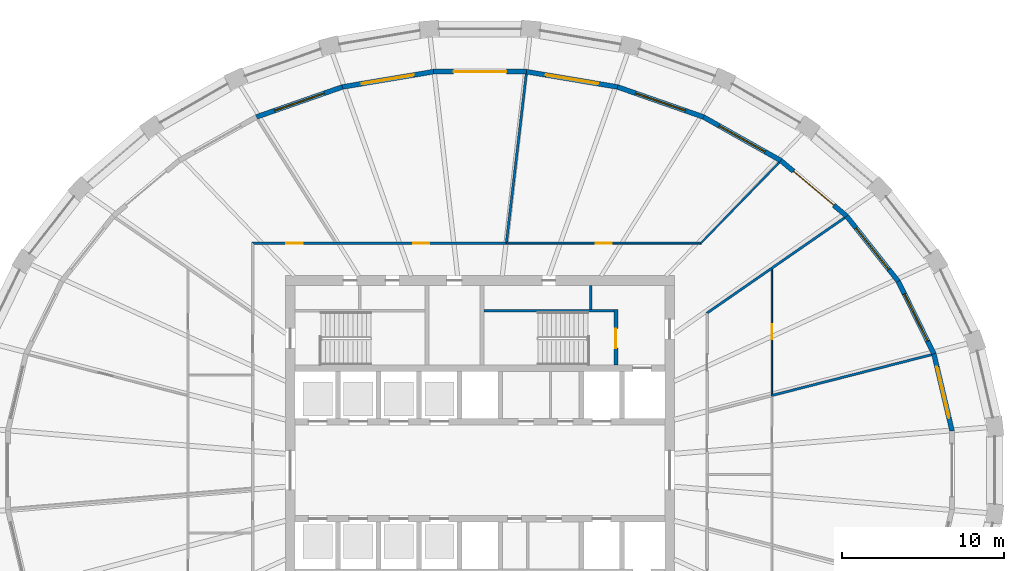
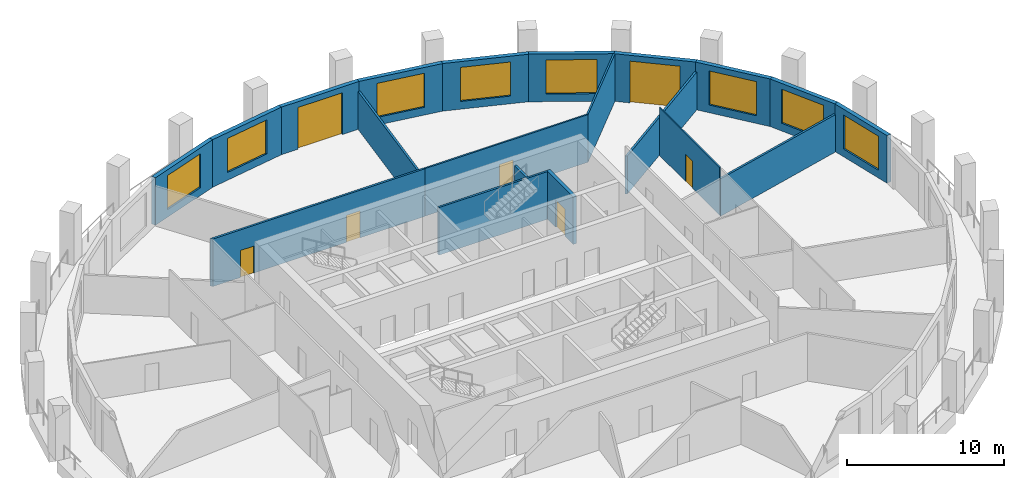
# One storey, part 7 of 11: 20 walls, 8 windows, 7 doors, 15 openings.
"""IFC4 building model written with IfcOpenShell, lengths in metres."""

import ifcopenshell
import ifcopenshell.guid

model = None  # the IFC model being written
_history = None  # IfcOwnerHistory: only IFC2X3 demands one
_inside = {}  # id of a spatial element -> (the spatial element, [elements in it])
_under = {}  # id of a project, library or spatial element -> (it, [spatial elements below it])
_declared = {}  # id of a project -> (the project, [libraries it declares])
_typed = {}  # id of a type object -> (the type object, [elements of that type])
_made_of = {}  # id of a material, layer set ... -> (it, [elements and type objects made of it])


def new_model(schema):
    """Start an empty IFC model of exactly this schema.

    Asked for "IFC4X3", IfcOpenShell would pick the latest addendum, in which some entities
    have other attributes; the version numbers below select the first issue.
    IFC2X3 requires an IfcOwnerHistory on every rooted entity: one is made here for all.
    """
    global model, _history
    if schema == "IFC4X3":
        model = ifcopenshell.file(schema_version=(4, 3, 0, 0))
    else:
        model = ifcopenshell.file(schema=schema)
    _inside.clear()
    _under.clear()
    _declared.clear()
    _typed.clear()
    _made_of.clear()
    _history = None
    if model.schema == "IFC2X3":
        org = make("IfcOrganization", Name="unknown")
        user = make(
            "IfcPersonAndOrganization",
            ThePerson=make("IfcPerson", FamilyName="unknown"),
            TheOrganization=org,
        )
        app = make(
            "IfcApplication",
            ApplicationDeveloper=org,
            Version="unknown",
            ApplicationFullName="unknown",
            ApplicationIdentifier="unknown",
        )
        _history = make(
            "IfcOwnerHistory",
            OwningUser=user,
            OwningApplication=app,
            ChangeAction="ADDED",
            CreationDate=0,
        )
    return model


def make(cls, **values):
    """One entity of the class cls with the attributes given. An attribute that is None is left unset."""
    return model.create_entity(
        cls, **{name: value for name, value in values.items() if value is not None}
    )


def rooted(cls, **values):
    """An entity with a GlobalId (a new one), such as an element, a storey or a relation."""
    return make(cls, GlobalId=ifcopenshell.guid.new(), OwnerHistory=_history, **values)


def si_unit(unit_type, name, prefix=None):
    """IfcSIUnit, for example si_unit("LENGTHUNIT", "METRE", prefix="MILLI")."""
    return make("IfcSIUnit", UnitType=unit_type, Prefix=prefix, Name=name)


def assignment(units):
    """IfcUnitAssignment: the units of a project."""
    return None if units is None else make("IfcUnitAssignment", Units=units)


def point(xyz):
    """IfcCartesianPoint."""
    return None if xyz is None else make("IfcCartesianPoint", Coordinates=xyz)


def direction(xyz):
    """IfcDirection."""
    return None if xyz is None else make("IfcDirection", DirectionRatios=xyz)


def frame(location, z_axis=None, x_axis=None):
    """IfcAxis2Placement3D, a coordinate frame: its origin and axes. An axis left out is left unset."""
    return make(
        "IfcAxis2Placement3D",
        Location=point(location),
        Axis=direction(z_axis),
        RefDirection=direction(x_axis),
    )


def frame_2d(location, x_axis=None):
    """IfcAxis2Placement2D, a coordinate frame in the plane: its origin and x axis."""
    return make(
        "IfcAxis2Placement2D", Location=point(location), RefDirection=direction(x_axis)
    )


def origin():
    """The frame at (0, 0, 0) with its axes left unset."""
    return frame((0.0, 0.0, 0.0))


def place(relative_to, where):
    """IfcLocalPlacement: puts the frame where relative to a parent placement (None: the world)."""
    return make(
        "IfcLocalPlacement", PlacementRelTo=relative_to, RelativePlacement=where
    )


def context(
    kind, dimensions, precision=None, world=None, true_north=None, identifier=None
):
    """IfcGeometricRepresentationContext, for example the 3D "Model" context."""
    return make(
        "IfcGeometricRepresentationContext",
        ContextIdentifier=identifier,
        ContextType=kind,
        CoordinateSpaceDimension=dimensions,
        Precision=precision,
        WorldCoordinateSystem=world,
        TrueNorth=true_north,
    )


def subcontext(parent, identifier, kind, view, scale=None):
    """IfcGeometricRepresentationSubContext, for example "Body" below "Model"."""
    return make(
        "IfcGeometricRepresentationSubContext",
        ContextIdentifier=identifier,
        ContextType=kind,
        ParentContext=parent,
        TargetScale=scale,
        TargetView=view,
    )


def project(units=None, contexts=None):
    """IfcProject with its units and contexts."""
    return rooted(
        "IfcProject",
        Name="project",
        RepresentationContexts=contexts,
        UnitsInContext=assignment(units),
    )


def spatial(cls, under=None, at=None, **own):
    """A site, building, storey or space (cls), placed at a placement, below another one or the project."""
    s = rooted(cls, ObjectPlacement=at, **own)
    if under is not None:
        _under.setdefault(under.id(), (under, []))[1].append(s)
    return s


def polyline(points):
    """IfcPolyline through the points."""
    return make("IfcPolyline", Points=[point(p) for p in points])


def profile(cls, at=None, kind="AREA", **sizes):
    """A parametric profile (cls). Its sizes go by their IFC names, for example OverallWidth=200.0."""
    return make(cls, ProfileType=kind, Position=at, **sizes)


def rectangle(**sizes):
    """IfcRectangleProfileDef."""
    return profile("IfcRectangleProfileDef", **sizes)


def outline(outer, holes=None, kind="AREA"):
    """IfcArbitraryClosedProfileDef: a profile drawn as a closed curve; with holes, ...WithVoids."""
    if holes is None:
        return make("IfcArbitraryClosedProfileDef", ProfileType=kind, OuterCurve=outer)
    return make(
        "IfcArbitraryProfileDefWithVoids",
        ProfileType=kind,
        OuterCurve=outer,
        InnerCurves=holes,
    )


def extrude(swept, where, along, depth):
    """IfcExtrudedAreaSolid: the profile swept, set in the frame where, extruded along a direction by depth."""
    return make(
        "IfcExtrudedAreaSolid",
        SweptArea=swept,
        Position=where,
        ExtrudedDirection=direction(along),
        Depth=depth,
    )


def shape(context_of_items, identifier, shape_type, items):
    """IfcShapeRepresentation: the items that make up one representation, for example the "Body"."""
    return make(
        "IfcShapeRepresentation",
        ContextOfItems=context_of_items,
        RepresentationIdentifier=identifier,
        RepresentationType=shape_type,
        Items=items,
    )


def material(Name=None, Category=None):
    """IfcMaterial."""
    return make("IfcMaterial", Name=Name, Category=Category)


def layer(
    of_material, thickness, ventilated=None, Name=None, Category=None, Priority=None
):
    """IfcMaterialLayer: one layer of a wall or slab, of a material (None: an air gap)."""
    return make(
        "IfcMaterialLayer",
        Material=of_material,
        LayerThickness=thickness,
        IsVentilated=ventilated,
        Name=Name,
        Category=Category,
        Priority=Priority,
    )


def layer_set(layers, Name=None):
    """IfcMaterialLayerSet."""
    return make("IfcMaterialLayerSet", MaterialLayers=layers, LayerSetName=Name)


def made_of(thing, what):
    """Note that an element or type object is made of a material, layer set ...; save() writes the relation."""
    if what is not None:
        _made_of.setdefault(what.id(), (what, []))[1].append(thing)
    return thing


def type_object(cls, material=None, **own):
    """A type object (cls), such as IfcWallType, which elements share."""
    return made_of(rooted(cls, **own), material)


def element(
    cls,
    number,
    at=None,
    inside=None,
    cuts=None,
    type_object=None,
    material=None,
    context=None,
    identifier="Body",
    shape_type=None,
    held_by="IfcProductDefinitionShape",
    body=None,
    shapes=None,
    **own,
):
    """One element of the class cls, such as IfcWall. Its Tag is "e" and its number.

    at: its placement. inside: the storey or other place that contains it. cuts: it is an
    opening in that element (IfcRelVoidsElement). A single representation is given by context,
    identifier, shape_type and body (its items); several are given by shapes. held_by: the class
    of the entity that holds the representations. save() writes the other relations.
    """
    e = rooted(cls, Tag="e%d" % number, ObjectPlacement=at, **own)
    if body is not None:
        shapes = [shape(context, identifier, shape_type, body)]
    if shapes is not None:
        e.Representation = make(held_by, Representations=shapes)
    if inside is not None:
        _inside.setdefault(inside.id(), (inside, []))[1].append(e)
    if cuts is not None:
        rooted(
            "IfcRelVoidsElement", RelatingBuildingElement=cuts, RelatedOpeningElement=e
        )
    if type_object is not None:
        _typed.setdefault(type_object.id(), (type_object, []))[1].append(e)
    return made_of(e, material)


def fill(opening, filler):
    """IfcRelFillsElement: the door or window that sits in an opening."""
    return rooted(
        "IfcRelFillsElement",
        RelatingOpeningElement=opening,
        RelatedBuildingElement=filler,
    )


def aggregate(whole, parts):
    """IfcRelAggregates: a whole, such as a stair, and the parts it consists of."""
    return rooted("IfcRelAggregates", RelatingObject=whole, RelatedObjects=parts)


def save(model, path):
    """Write the relations noted so far, then the file.

    IfcRelAggregates (storeys below a building ...), IfcRelContainedInSpatialStructure (elements
    in a storey), IfcRelDefinesByType, IfcRelAssociatesMaterial and IfcRelDeclares: one each for
    every whole, place, type object, material and project.
    """
    for whole, parts in _under.values():
        aggregate(whole, parts)
    for where, things in _inside.values():
        rooted(
            "IfcRelContainedInSpatialStructure",
            RelatedElements=things,
            RelatingStructure=where,
        )
    for kind, things in _typed.values():
        rooted("IfcRelDefinesByType", RelatedObjects=things, RelatingType=kind)
    for what, things in _made_of.values():
        rooted("IfcRelAssociatesMaterial", RelatedObjects=things, RelatingMaterial=what)
    for by, libraries in _declared.values():
        rooted("IfcRelDeclares", RelatingContext=by, RelatedDefinitions=libraries)
    model.write(path)


model = new_model("IFC4")

# Units and contexts
model_context = context("Model", 3, precision=1e-05, world=origin(), true_north=direction((0.0, 1.0)))
body_context = subcontext(model_context, "Body", "Model", "MODEL_VIEW")
ifc_project = project(units=[si_unit("LENGTHUNIT", "METRE"), si_unit("AREAUNIT", "SQUARE_METRE"), si_unit("VOLUMEUNIT", "CUBIC_METRE"), si_unit("PLANEANGLEUNIT", "RADIAN"), si_unit("MASSUNIT", "GRAM", prefix="KILO")], contexts=[model_context])

# Site, building, storey
site_placement = place(None, origin())
site = spatial("IfcSite", under=ifc_project, at=site_placement, CompositionType="ELEMENT")
building_placement = place(site_placement, origin())
building = spatial("IfcBuilding", under=site, at=building_placement, Name="Halqa Exchange Tower", CompositionType="ELEMENT")
storey_placement = place(building_placement, frame((0.0, 0.0, 214.89990234375)))
storey = spatial("IfcBuildingStorey", under=building, at=storey_placement, Name="L49", CompositionType="ELEMENT", Elevation=214.89990234375)

# Wall, openings, doors
ifc_material_1 = material(Name="Fire-rated gypsum board")
ifc_layer_1 = layer(ifc_material_1, 0.14990234375)
ifc_layer_set_1 = layer_set([ifc_layer_1], Name="Fire-rated gypsum board")
wall_type_1 = type_object("IfcWallType", Name="Fire partition EI 60 150", PredefinedType="PARTITIONING", material=ifc_layer_set_1)
wall_1_placement = place(storey_placement, frame((-14.074951171875, 14.0, 0.0), z_axis=(0.0, 0.0, 1.0), x_axis=(1.0, 0.0, 0.0)))
wall_1 = element("IfcWall", 1, at=wall_1_placement, inside=storey, type_object=wall_type_1, Name="L49-PWL-016", PredefinedType="PARTITIONING", context=body_context, shape_type="SweptSolid", body=[
    extrude(outline(polyline([(15.704833984375, 0.074951171875), (13.74169921875, 0.074951171875), (11.778564453125, 0.074951171875), (9.8154296875, 0.074951171875), (7.8525390625, 0.074951171875), (5.889404296875, 0.074951171875), (3.92626953125, 0.074951171875), (1.963134765625, 0.074951171875), (0.0, 0.074951171875), (0.14990234375, -0.074951171875), (2.09423828125, -0.074951171875), (4.03857421875, -0.074951171875), (5.98291015625, -0.074951171875), (7.92724609375, -0.074951171875), (9.871826171875, -0.074951171875), (11.816162109375, -0.074951171875), (13.760498046875, -0.074951171875), (15.704833984375, -0.074951171875), (15.704833984375, 0.074951171875)])), origin(), (0.0, 0.0, 1.0), 3.7001953125),
])
opening_1_placement = place(wall_1_placement, frame((9.955078125, 0.0, 0.0)))
opening_1 = element("IfcOpeningElement", 2, at=opening_1_placement, cuts=wall_1, Name="Opening 15-02", PredefinedType="OPENING", context=body_context, shape_type="SweptSolid", body=[
    extrude(rectangle(XDim=1.0, YDim=2.10009765625, at=frame_2d((0.5, 1.050048828125))), frame((0.0, 0.0869140625, 0.0), z_axis=(0.0, -1.0, 0.0), x_axis=(1.0, 0.0, 0.0)), (0.0, 0.0, 1.0), 0.173828125),
])
opening_2_placement = place(wall_1_placement, frame((2.139892578125, 0.0, 0.0)))
opening_2 = element("IfcOpeningElement", 3, at=opening_2_placement, cuts=wall_1, Name="Opening 15-03", PredefinedType="OPENING", context=body_context, shape_type="SweptSolid", body=[
    extrude(rectangle(XDim=1.0, YDim=2.10009765625, at=frame_2d((0.5, 1.050048828125))), frame((0.0, 0.0869140625, 0.0), z_axis=(0.0, -1.0, 0.0), x_axis=(1.0, 0.0, 0.0)), (0.0, 0.0, 1.0), 0.173828125),
])
ifc_material_2 = material(Name="Steel fire door leaf", Category="steel")
door_type_1 = type_object("IfcDoorType", Name="Fire door FD30S 1000 x 2100", OperationType="SINGLE_SWING_LEFT", PredefinedType="DOOR", material=ifc_material_2)
door_1_placement = place(opening_1_placement, origin())
door_1 = element("IfcDoor", 4, at=door_1_placement, inside=storey, type_object=door_type_1, Name="L49-IDR-002", OperationType="SINGLE_SWING_RIGHT", OverallHeight=2.10009765625, OverallWidth=1.0, PredefinedType="DOOR", context=body_context, shape_type="SweptSolid", body=[
    extrude(rectangle(XDim=1.0, YDim=2.10009765625, at=frame_2d((0.5, 1.050048828125))), frame((0.0, 0.02490234375, 0.0), z_axis=(0.0, -1.0, 0.0), x_axis=(1.0, 0.0, 0.0)), (0.0, 0.0, 1.0), 0.050048828125),
])
fill(opening_1, door_1)
door_2_placement = place(opening_2_placement, origin())
door_2 = element("IfcDoor", 5, at=door_2_placement, inside=storey, type_object=door_type_1, Name="L49-IDR-003", OperationType="SINGLE_SWING_LEFT", OverallHeight=2.10009765625, OverallWidth=1.0, PredefinedType="DOOR", context=body_context, shape_type="SweptSolid", body=[
    extrude(rectangle(XDim=1.0, YDim=2.10009765625, at=frame_2d((0.5, 1.050048828125))), frame((0.0, 0.02490234375, 0.0), z_axis=(0.0, -1.0, 0.0), x_axis=(1.0, 0.0, 0.0)), (0.0, 0.0, 1.0), 0.050048828125),
])
fill(opening_2, door_2)

# Walls
wall_2_placement = place(storey_placement, frame((1.6376953125, 14.06640625, 0.0), z_axis=(0.0, 0.0, 1.0), x_axis=(0.116747450487, 0.993161634783, 0.0)))
element("IfcWall", 6, at=wall_2_placement, inside=storey, type_object=wall_type_1, Name="L49-PWL-020", PredefinedType="PARTITIONING", context=body_context, shape_type="SweptSolid", body=[
    extrude(outline(polyline([(10.42041015625, -0.074951171875), (10.42041015625, 0.038818359375), (10.416259765625, 0.074951171875), (8.68017578125, 0.074951171875), (6.944091796875, 0.074951171875), (5.2080078125, 0.074951171875), (3.47216796875, 0.074951171875), (1.736083984375, 0.074951171875), (0.0, 0.074951171875), (0.0, 0.07373046875), (0.007568359375, 0.008544921875), (0.0, 0.0078125), (0.0, -0.054931640625), (0.00244140625, -0.074951171875), (1.73876953125, -0.074951171875), (3.47509765625, -0.074951171875), (5.21142578125, -0.074951171875), (6.94775390625, -0.074951171875), (8.68408203125, -0.074951171875), (10.42041015625, -0.074951171875)])), origin(), (0.0, 0.0, 1.0), 2.947021484375),
])
wall_3_placement = place(storey_placement, frame((13.9677734375, 9.66748046875, 0.0), z_axis=(0.0, 0.0, 1.0), x_axis=(0.822219313141, 0.56917080134, 0.0)))
element("IfcWall", 7, at=wall_3_placement, inside=storey, type_object=wall_type_1, Name="L49-PWL-033", PredefinedType="PARTITIONING", context=body_context, shape_type="SweptSolid", body=[
    extrude(outline(polyline([(0.07861328125, -0.074951171875), (1.649658203125, -0.074951171875), (3.220458984375, -0.074951171875), (4.791259765625, -0.074951171875), (4.79248046875, -0.0732421875), (4.794921875, -0.074951171875), (6.653076171875, -0.074951171875), (8.511474609375, -0.074951171875), (10.36962890625, -0.074951171875), (10.36962890625, -0.066162109375), (10.365234375, -0.000244140625), (10.344970703125, 0.074951171875), (8.620849609375, 0.074951171875), (6.896728515625, 0.074951171875), (5.172607421875, 0.074951171875), (3.448486328125, 0.074951171875), (1.724365234375, 0.074951171875), (0.000244140625, 0.074951171875), (0.039306640625, 0.000244140625), (0.07861328125, -0.074951171875)])), origin(), (0.0, 0.0, 1.0), 2.947021484375),
])
wall_4_placement = place(storey_placement, frame((17.95166015625, 4.59765625, 0.0), z_axis=(0.0, 0.0, 1.0), x_axis=(0.968895869382, 0.247468774381, 0.0)))
element("IfcWall", 8, at=wall_4_placement, inside=storey, type_object=wall_type_1, Name="L49-PWL-037", PredefinedType="PARTITIONING", context=body_context, shape_type="SweptSolid", body=[
    extrude(outline(polyline([(10.205810546875, -0.074951171875), (10.205810546875, 0.0078125), (10.191650390625, 0.074951171875), (8.51318359375, 0.074951171875), (6.834716796875, 0.074951171875), (5.15625, 0.074951171875), (3.477783203125, 0.074951171875), (1.799072265625, 0.074951171875), (0.12060546875, 0.074951171875), (0.12060546875, 0.07470703125), (0.1201171875, 0.074951171875), (0.0, 0.074951171875), (0.0, -0.054443359375), (0.08056640625, -0.074951171875), (1.768310546875, -0.074951171875), (3.455810546875, -0.074951171875), (5.143310546875, -0.074951171875), (6.830810546875, -0.074951171875), (8.518310546875, -0.074951171875), (10.205810546875, -0.074951171875)])), origin(), (0.0, 0.0, 1.0), 2.91015625),
])

# Wall, opening, door
ifc_material_3 = material(Name="Fire-rated glazing", Category="glass")
ifc_layer_2 = layer(ifc_material_3, 0.1201171875)
ifc_layer_set_2 = layer_set([ifc_layer_2], Name="Fire-rated glazing")
wall_type_2 = type_object("IfcWallType", Name="Glazed fire partition EI 60 120", PredefinedType="PARTITIONING", material=ifc_layer_set_2)
wall_5_placement = place(storey_placement, frame((1.6298828125, 14.0, 0.0), z_axis=(0.0, 0.0, 1.0), x_axis=(1.0, 0.0, 0.0)))
wall_5 = element("IfcWall", 9, at=wall_5_placement, inside=storey, type_object=wall_type_2, Name="L49-PWL-021", PredefinedType="PARTITIONING", context=body_context, shape_type="SweptSolid", body=[
    extrude(outline(polyline([(12.015380859375, -0.06005859375), (12.015380859375, -0.059814453125), (11.96484375, 0.06005859375), (9.970703125, 0.06005859375), (7.9765625, 0.06005859375), (5.982421875, 0.06005859375), (3.98828125, 0.06005859375), (1.994140625, 0.06005859375), (0.0, 0.06005859375), (0.0, -0.06005859375), (1.716552734375, -0.06005859375), (3.432861328125, -0.06005859375), (5.1494140625, -0.06005859375), (6.865966796875, -0.06005859375), (8.58251953125, -0.06005859375), (10.298828125, -0.06005859375), (12.015380859375, -0.06005859375)])), origin(), (0.0, 0.0, 1.0), 3.7001953125),
])
opening_3_placement = place(wall_5_placement, frame((5.4951171875, 0.0, 0.0)))
opening_3 = element("IfcOpeningElement", 10, at=opening_3_placement, cuts=wall_5, Name="Opening 15-01", PredefinedType="OPENING", context=body_context, shape_type="SweptSolid", body=[
    extrude(rectangle(XDim=1.0, YDim=2.10009765625, at=frame_2d((0.5, 1.050048828125))), frame((0.0, 0.072021484375, 0.0), z_axis=(0.0, -1.0, 0.0), x_axis=(1.0, 0.0, 0.0)), (0.0, 0.0, 1.0), 0.14404296875),
])
door_3_placement = place(opening_3_placement, origin())
door_3 = element("IfcDoor", 11, at=door_3_placement, inside=storey, type_object=door_type_1, Name="L49-IDR-001", OperationType="SINGLE_SWING_RIGHT", OverallHeight=2.10009765625, OverallWidth=1.0, PredefinedType="DOOR", context=body_context, shape_type="SweptSolid", body=[
    extrude(rectangle(XDim=1.0, YDim=2.10009765625, at=frame_2d((0.5, 1.050048828125))), frame((0.0, 0.02490234375, 0.0), z_axis=(0.0, -1.0, 0.0), x_axis=(1.0, 0.0, 0.0)), (0.0, 0.0, 1.0), 0.050048828125),
])
fill(opening_3, door_3)

# Wall
wall_6_placement = place(storey_placement, frame((13.602294921875, 13.981689453125, 0.0), z_axis=(0.0, 0.0, 1.0), x_axis=(0.697346685185, 0.716733981797, 0.0)))
element("IfcWall", 12, at=wall_6_placement, inside=storey, type_object=wall_type_2, Name="L49-PWL-025", PredefinedType="PARTITIONING", context=body_context, shape_type="SweptSolid", body=[
    extrude(outline(polyline([(6.9638671875, -0.06005859375), (6.9638671875, -0.0576171875), (6.9599609375, -0.00244140625), (6.943359375, 0.06005859375), (5.22021484375, 0.06005859375), (3.4970703125, 0.06005859375), (1.77392578125, 0.06005859375), (0.05078125, 0.06005859375), (0.05078125, 0.06005859375), (0.025390625, 0.0), (0.0, -0.06005859375), (1.740966796875, -0.06005859375), (3.48193359375, -0.06005859375), (5.222900390625, -0.06005859375), (6.9638671875, -0.06005859375)])), origin(), (0.0, 0.0, 1.0), 3.7001953125),
])

# Wall, opening, door
ifc_material_4 = material(Name="Gypsum board")
ifc_layer_3 = layer(ifc_material_4, 0.10009765625)
ifc_layer_set_3 = layer_set([ifc_layer_3], Name="Gypsum board")
wall_type_3 = type_object("IfcWallType", Name="Partition 100 gypsum", PredefinedType="PARTITIONING", material=ifc_layer_set_3)
wall_7_placement = place(storey_placement, frame((18.0, 12.402099609375, 0.0), z_axis=(0.0, 0.0, 1.0), x_axis=(0.0, -1.0, 0.0)))
wall_7 = element("IfcWall", 13, at=wall_7_placement, inside=storey, type_object=wall_type_3, Name="L49-PWL-038", PredefinedType="PARTITIONING", context=body_context, shape_type="SweptSolid", body=[
    extrude(outline(polyline([(7.72705078125, -0.050048828125), (7.72705078125, -0.04833984375), (7.701904296875, 0.050048828125), (5.7763671875, 0.050048828125), (3.850830078125, 0.050048828125), (1.925537109375, 0.050048828125), (0.0, 0.050048828125), (0.0, 0.0498046875), (0.069091796875, -0.050048828125), (1.983642578125, -0.050048828125), (3.89794921875, -0.050048828125), (5.8125, -0.050048828125), (7.72705078125, -0.050048828125)])), origin(), (0.0, 0.0, 1.0), 3.7001953125),
])
opening_4_placement = place(wall_7_placement, frame((3.4169921875, 0.0, 0.0)))
opening_4 = element("IfcOpeningElement", 14, at=opening_4_placement, cuts=wall_7, Name="Opening 15-22", PredefinedType="OPENING", context=body_context, shape_type="SweptSolid", body=[
    extrude(rectangle(XDim=0.89990234375, YDim=2.10009765625, at=frame_2d((0.449951171875, 1.050048828125))), frame((0.0, 0.06201171875, 0.0), z_axis=(0.0, -1.0, 0.0), x_axis=(1.0, 0.0, 0.0)), (0.0, 0.0, 1.0), 0.1240234375),
])
ifc_material_5 = material(Name="Timber door leaf", Category="wood")
door_type_2 = type_object("IfcDoorType", Name="Door 900 x 2100", OperationType="SINGLE_SWING_LEFT", PredefinedType="DOOR", material=ifc_material_5)
door_4_placement = place(opening_4_placement, frame((0.89990234375, 0.0, 0.0), z_axis=(0.0, 0.0, 1.0), x_axis=(-1.0, 0.0, 0.0)))
door_4 = element("IfcDoor", 15, at=door_4_placement, inside=storey, type_object=door_type_2, Name="L49-IDR-022", OperationType="SINGLE_SWING_LEFT", OverallHeight=2.10009765625, OverallWidth=0.89990234375, PredefinedType="DOOR", context=body_context, shape_type="SweptSolid", body=[
    extrude(rectangle(XDim=0.89990234375, YDim=2.10009765625, at=frame_2d((0.449951171875, 1.050048828125))), frame((0.0, 0.02490234375, 0.0), z_axis=(0.0, -1.0, 0.0), x_axis=(1.0, 0.0, 0.0)), (0.0, 0.0, 1.0), 0.050048828125),
])
fill(opening_4, door_4)

# Walls
ifc_layer_4 = layer(ifc_material_4, 0.14990234375)
ifc_layer_set_4 = layer_set([ifc_layer_4], Name="Gypsum board")
wall_type_4 = type_object("IfcWallType", Name="Penthouse riser wall 150 gypsum", PredefinedType="PARTITIONING", material=ifc_layer_set_4)
wall_8_placement = place(storey_placement, frame((6.824951171875, 9.89990234375, 0.0), z_axis=(0.0, 0.0, 1.0), x_axis=(0.0, 1.0, 0.0)))
element("IfcWall", 16, at=wall_8_placement, inside=storey, type_object=wall_type_4, Name="Firefighting lobby west wall N", PredefinedType="PARTITIONING", context=body_context, shape_type="SweptSolid", body=[
    extrude(rectangle(XDim=1.5, YDim=0.14990234375, at=frame_2d((0.75, 0.0))), origin(), (0.0, 0.0, 1.0), 3.7001953125),
])
ifc_material_6 = material(Name="Concrete C30/37", Category="concrete")
ifc_layer_5 = layer(ifc_material_6, 0.14990234375)
ifc_layer_set_5 = layer_set([ifc_layer_5], Name="Concrete C30/37")
wall_type_5 = type_object("IfcWallType", Name="RC stair wall 150 C30/37", PredefinedType="SHEAR", material=ifc_layer_set_5)
wall_9_placement = place(storey_placement, frame((0.25, 9.824951171875, 0.0), z_axis=(0.0, 0.0, 1.0), x_axis=(1.0, 0.0, 0.0)))
element("IfcWall", 17, at=wall_9_placement, inside=storey, type_object=wall_type_5, Name="Stair ST2 north wall N", PredefinedType="SHEAR", context=body_context, shape_type="SweptSolid", body=[
    extrude(rectangle(XDim=8.0, YDim=0.14990234375, at=frame_2d((4.0, 0.0))), origin(), (0.0, 0.0, 1.0), 3.7001953125),
])

# Wall, opening, door
ifc_layer_6 = layer(ifc_material_6, 0.25)
ifc_layer_set_6 = layer_set([ifc_layer_6], Name="Concrete C30/37")
wall_type_6 = type_object("IfcWallType", Name="RC stair wall 250 C30/37", PredefinedType="SHEAR", material=ifc_layer_set_6)
wall_10_placement = place(storey_placement, frame((8.375, 6.5, 0.0), z_axis=(0.0, 0.0, 1.0), x_axis=(0.0, 1.0, 0.0)))
wall_10 = element("IfcWall", 18, at=wall_10_placement, inside=storey, type_object=wall_type_6, Name="Stair ST2 east wall N", PredefinedType="SHEAR", context=body_context, shape_type="SweptSolid", body=[
    extrude(rectangle(XDim=3.39990234375, YDim=0.25, at=frame_2d((1.699951171875, 0.0))), origin(), (0.0, 0.0, 1.0), 3.7001953125),
])
opening_5_placement = place(wall_10_placement, frame((1.02490234375, 0.0, 0.0)))
opening_5 = element("IfcOpeningElement", 19, at=opening_5_placement, cuts=wall_10, Name="Opening T15-C16", PredefinedType="OPENING", context=body_context, shape_type="SweptSolid", body=[
    extrude(rectangle(XDim=1.199951171875, YDim=2.10009765625, at=frame_2d((0.60009765625, 1.050048828125))), frame((0.0, 0.136962890625, 0.0), z_axis=(0.0, -1.0, 0.0), x_axis=(1.0, 0.0, 0.0)), (0.0, 0.0, 1.0), 0.27392578125),
])
door_type_3 = type_object("IfcDoorType", Name="Stair door FD90 1200 x 2100", OperationType="SINGLE_SWING_LEFT", PredefinedType="DOOR", material=ifc_material_2)
door_5_placement = place(opening_5_placement, origin())
door_5 = element("IfcDoor", 20, at=door_5_placement, inside=storey, type_object=door_type_3, Name="Stair door ST2", OperationType="SINGLE_SWING_LEFT", OverallHeight=2.10009765625, OverallWidth=1.199951171875, PredefinedType="DOOR", context=body_context, shape_type="SweptSolid", body=[
    extrude(rectangle(XDim=1.199951171875, YDim=2.10009765625, at=frame_2d((0.60009765625, 1.050048828125))), frame((0.0, 0.02490234375, 0.0), z_axis=(0.0, -1.0, 0.0), x_axis=(1.0, 0.0, 0.0)), (0.0, 0.0, 1.0), 0.050048828125),
])
fill(opening_5, door_5)

# Wall, opening, window
ifc_material_7 = material(Name="Limestone cladding", Category="masonry")
ifc_layer_7 = layer(ifc_material_7, 0.0400390625)
ifc_material_8 = material(Name="Ventilated cavity")
ifc_layer_8 = layer(ifc_material_8, 0.030029296875, ventilated=True)
ifc_material_9 = material(Name="Mineral wool insulation")
ifc_layer_9 = layer(ifc_material_9, 0.10009765625)
ifc_layer_10 = layer(ifc_material_6, 0.10009765625)
ifc_material_10 = material(Name="Internal plaster")
ifc_layer_11 = layer(ifc_material_10, 0.030029296875)
ifc_layer_set_7 = layer_set([ifc_layer_7, ifc_layer_8, ifc_layer_9, ifc_layer_10, ifc_layer_11], Name="Stone-faced insulated wall 300")
wall_type_7 = type_object("IfcWallType", Name="Stone-faced insulated wall 300", PredefinedType="STANDARD", material=ifc_layer_set_7)
wall_11_placement = place(storey_placement, frame((29.1044921875, 2.422607421875, 0.0), z_axis=(0.0, 0.0, 1.0), x_axis=(-0.229546618766, 0.97329766763, 0.0)))
wall_11 = element("IfcWall", 21, at=wall_11_placement, inside=storey, type_object=wall_type_7, Name="Glass-line wall 1", PredefinedType="STANDARD", context=body_context, shape_type="SweptSolid", body=[
    extrude(outline(polyline([(-0.017333984375, -0.14990234375), (4.898681640625, -0.14990234375), (4.864990234375, 0.14990234375), (0.017333984375, 0.14990234375), (-0.017333984375, -0.14990234375)])), origin(), (0.0, 0.0, 1.0), 3.7001953125),
])
opening_6_placement = place(wall_11_placement, frame((0.81591796875, 0.0, 0.60009765625)))
opening_6 = element("IfcOpeningElement", 22, at=opening_6_placement, cuts=wall_11, Name="Opening W-F3-01", PredefinedType="OPENING", context=body_context, shape_type="SweptSolid", body=[
    extrude(rectangle(XDim=3.25, YDim=2.64990234375, at=frame_2d((1.625, 1.324951171875))), frame((0.0, 0.162109375, 0.0), z_axis=(0.0, -1.0, 0.0), x_axis=(1.0, 0.0, 0.0)), (0.0, 0.0, 1.0), 0.323974609375),
])
ifc_material_11 = material(Name="Clear low-emissivity glass in aluminium frame", Category="aluminium")
window_type = type_object("IfcWindowType", Name="Fixed clear glazed window 3250 x 2650", PartitioningType="TRIPLE_PANEL_VERTICAL", PredefinedType="WINDOW", material=ifc_material_11)
window_1_placement = place(opening_6_placement, origin())
window_1 = element("IfcWindow", 23, at=window_1_placement, inside=storey, type_object=window_type, Name="Window 3", OverallHeight=2.64990234375, OverallWidth=3.25, PartitioningType="TRIPLE_PANEL_VERTICAL", PredefinedType="WINDOW", context=body_context, shape_type="SweptSolid", body=[
    extrude(rectangle(XDim=3.25, YDim=2.64990234375, at=frame_2d((1.625, 1.324951171875))), frame((0.0, 0.030029296875, 0.0), z_axis=(0.0, -1.0, 0.0), x_axis=(1.0, 0.0, 0.0)), (0.0, 0.0, 1.0), 0.06005859375),
])
fill(opening_6, window_1)

wall_12_placement = place(storey_placement, frame((27.98388671875, 7.174072265625, 0.0), z_axis=(0.0, 0.0, 1.0), x_axis=(-0.440795186599, 0.897607711348, 0.0)))
wall_12 = element("IfcWall", 24, at=wall_12_placement, inside=storey, type_object=wall_type_7, Name="Glass-line wall 2", PredefinedType="STANDARD", context=body_context, shape_type="SweptSolid", body=[
    extrude(outline(polyline([(-0.016845703125, -0.14990234375), (5.000244140625, -0.14990234375), (4.968017578125, 0.14990234375), (0.016845703125, 0.14990234375), (-0.016845703125, -0.14990234375)])), origin(), (0.0, 0.0, 1.0), 3.7001953125),
])
opening_7_placement = place(wall_12_placement, frame((0.8671875, 0.0, 0.60009765625)))
opening_7 = element("IfcOpeningElement", 25, at=opening_7_placement, cuts=wall_12, Name="Opening W-F3-02", PredefinedType="OPENING", context=body_context, shape_type="SweptSolid", body=[
    extrude(rectangle(XDim=3.25, YDim=2.64990234375, at=frame_2d((1.625, 1.324951171875))), frame((0.0, 0.162109375, 0.0), z_axis=(0.0, -1.0, 0.0), x_axis=(1.0, 0.0, 0.0)), (0.0, 0.0, 1.0), 0.323974609375),
])
window_2_placement = place(opening_7_placement, origin())
window_2 = element("IfcWindow", 26, at=window_2_placement, inside=storey, type_object=window_type, Name="Window 3", OverallHeight=2.64990234375, OverallWidth=3.25, PartitioningType="TRIPLE_PANEL_VERTICAL", PredefinedType="WINDOW", context=body_context, shape_type="SweptSolid", body=[
    extrude(rectangle(XDim=3.25, YDim=2.64990234375, at=frame_2d((1.625, 1.324951171875))), frame((0.0, 0.030029296875, 0.0), z_axis=(0.0, -1.0, 0.0), x_axis=(1.0, 0.0, 0.0)), (0.0, 0.0, 1.0), 0.06005859375),
])
fill(opening_7, window_2)

wall_13_placement = place(storey_placement, frame((25.786865234375, 11.64794921875, 0.0), z_axis=(0.0, 0.0, 1.0), x_axis=(-0.621017151557, 0.783796974651, 0.0)))
wall_13 = element("IfcWall", 27, at=wall_13_placement, inside=storey, type_object=wall_type_7, Name="Glass-line wall 3", PredefinedType="STANDARD", context=body_context, shape_type="SweptSolid", body=[
    extrude(outline(polyline([(-0.01611328125, -0.14990234375), (5.14892578125, -0.14990234375), (5.11865234375, 0.14990234375), (0.01611328125, 0.14990234375), (-0.01611328125, -0.14990234375)])), origin(), (0.0, 0.0, 1.0), 3.7001953125),
])
opening_8_placement = place(wall_13_placement, frame((0.94189453125, 0.0, 0.60009765625)))
opening_8 = element("IfcOpeningElement", 28, at=opening_8_placement, cuts=wall_13, Name="Opening W-F3-03", PredefinedType="OPENING", context=body_context, shape_type="SweptSolid", body=[
    extrude(rectangle(XDim=3.25, YDim=2.64990234375, at=frame_2d((1.625, 1.324951171875))), frame((0.0, 0.162109375, 0.0), z_axis=(0.0, -1.0, 0.0), x_axis=(1.0, 0.0, 0.0)), (0.0, 0.0, 1.0), 0.323974609375),
])
window_3_placement = place(opening_8_placement, origin())
window_3 = element("IfcWindow", 29, at=window_3_placement, inside=storey, type_object=window_type, Name="Window 3", OverallHeight=2.64990234375, OverallWidth=3.25, PartitioningType="TRIPLE_PANEL_VERTICAL", PredefinedType="WINDOW", context=body_context, shape_type="SweptSolid", body=[
    extrude(rectangle(XDim=3.25, YDim=2.64990234375, at=frame_2d((1.625, 1.324951171875))), frame((0.0, 0.030029296875, 0.0), z_axis=(0.0, -1.0, 0.0), x_axis=(1.0, 0.0, 0.0)), (0.0, 0.0, 1.0), 0.06005859375),
])
fill(opening_8, window_3)

# Wall, opening, door
wall_14_placement = place(storey_placement, frame((22.5986328125, 15.671875, 0.0), z_axis=(0.0, 0.0, 1.0), x_axis=(-0.764397795062, 0.644744919255, 0.0)))
wall_14 = element("IfcWall", 30, at=wall_14_placement, inside=storey, type_object=wall_type_7, Name="Glass-line wall 4", PredefinedType="STANDARD", context=body_context, shape_type="SweptSolid", body=[
    extrude(outline(polyline([(-0.01513671875, -0.14990234375), (5.3193359375, -0.14990234375), (5.291015625, 0.14990234375), (0.01513671875, 0.14990234375), (-0.01513671875, -0.14990234375)])), origin(), (0.0, 0.0, 1.0), 3.7001953125),
])
opening_9_placement = place(wall_14_placement, frame((1.027587890625, 0.0, 0.0)))
opening_9 = element("IfcOpeningElement", 31, at=opening_9_placement, cuts=wall_14, Name="Opening LG-F3-01", PredefinedType="OPENING", context=body_context, shape_type="SweptSolid", body=[
    extrude(rectangle(XDim=3.25, YDim=3.25, at=frame_2d((1.625, 1.625))), frame((0.0, 0.162109375, 0.0), z_axis=(0.0, -1.0, 0.0), x_axis=(1.0, 0.0, 0.0)), (0.0, 0.0, 1.0), 0.323974609375),
])
door_type_4 = type_object("IfcDoorType", Name="Glazed sliding loggia door 3250 x 3250", OperationType="DOUBLE_DOOR_SLIDING", PredefinedType="DOOR", material=ifc_material_11)
door_6_placement = place(opening_9_placement, origin())
door_6 = element("IfcDoor", 32, at=door_6_placement, inside=storey, type_object=door_type_4, Name="Loggia door 1", OperationType="DOUBLE_DOOR_SLIDING", OverallHeight=3.25, OverallWidth=3.25, PredefinedType="DOOR", context=body_context, shape_type="SweptSolid", body=[
    extrude(rectangle(XDim=3.25, YDim=3.25, at=frame_2d((1.625, 1.625))), frame((0.0, 0.02490234375, 0.0), z_axis=(0.0, -1.0, 0.0), x_axis=(1.0, 0.0, 0.0)), (0.0, 0.0, 1.0), 0.050048828125),
])
fill(opening_9, door_6)

# Wall, opening, window
wall_15_placement = place(storey_placement, frame((18.54345703125, 19.09228515625, 0.0), z_axis=(0.0, 0.0, 1.0), x_axis=(-0.871207038577, 0.490915772749, 0.0)))
wall_15 = element("IfcWall", 33, at=wall_15_placement, inside=storey, type_object=wall_type_7, Name="Glass-line wall 5", PredefinedType="STANDARD", context=body_context, shape_type="SweptSolid", body=[
    extrude(outline(polyline([(-0.01416015625, -0.14990234375), (5.484375, -0.14990234375), (5.45751953125, 0.14990234375), (0.01416015625, 0.14990234375), (-0.01416015625, -0.14990234375)])), origin(), (0.0, 0.0, 1.0), 3.7001953125),
])
opening_10_placement = place(wall_15_placement, frame((1.110595703125, 0.0, 0.60009765625)))
opening_10 = element("IfcOpeningElement", 34, at=opening_10_placement, cuts=wall_15, Name="Opening W-F3-05", PredefinedType="OPENING", context=body_context, shape_type="SweptSolid", body=[
    extrude(rectangle(XDim=3.25, YDim=2.64990234375, at=frame_2d((1.625, 1.324951171875))), frame((0.0, 0.162109375, 0.0), z_axis=(0.0, -1.0, 0.0), x_axis=(1.0, 0.0, 0.0)), (0.0, 0.0, 1.0), 0.323974609375),
])
window_4_placement = place(opening_10_placement, origin())
window_4 = element("IfcWindow", 35, at=window_4_placement, inside=storey, type_object=window_type, Name="Window 3", OverallHeight=2.64990234375, OverallWidth=3.25, PartitioningType="TRIPLE_PANEL_VERTICAL", PredefinedType="WINDOW", context=body_context, shape_type="SweptSolid", body=[
    extrude(rectangle(XDim=3.25, YDim=2.64990234375, at=frame_2d((1.625, 1.324951171875))), frame((0.0, 0.030029296875, 0.0), z_axis=(0.0, -1.0, 0.0), x_axis=(1.0, 0.0, 0.0)), (0.0, 0.0, 1.0), 0.06005859375),
])
fill(opening_10, window_4)

wall_16_placement = place(storey_placement, frame((13.777099609375, 21.778076171875, 0.0), z_axis=(0.0, 0.0, 1.0), x_axis=(-0.944053670735, 0.329791853708, 0.0)))
wall_16 = element("IfcWall", 36, at=wall_16_placement, inside=storey, type_object=wall_type_7, Name="Glass-line wall 6", PredefinedType="STANDARD", context=body_context, shape_type="SweptSolid", body=[
    extrude(outline(polyline([(-0.013427734375, -0.14990234375), (5.620361328125, -0.14990234375), (5.594970703125, 0.14990234375), (0.013427734375, 0.14990234375), (-0.013427734375, -0.14990234375)])), origin(), (0.0, 0.0, 1.0), 3.7001953125),
])
opening_11_placement = place(wall_16_placement, frame((1.178955078125, 0.0, 0.60009765625)))
opening_11 = element("IfcOpeningElement", 37, at=opening_11_placement, cuts=wall_16, Name="Opening W-F3-06", PredefinedType="OPENING", context=body_context, shape_type="SweptSolid", body=[
    extrude(rectangle(XDim=3.25, YDim=2.64990234375, at=frame_2d((1.625, 1.324951171875))), frame((0.0, 0.162109375, 0.0), z_axis=(0.0, -1.0, 0.0), x_axis=(1.0, 0.0, 0.0)), (0.0, 0.0, 1.0), 0.323974609375),
])
window_5_placement = place(opening_11_placement, origin())
window_5 = element("IfcWindow", 38, at=window_5_placement, inside=storey, type_object=window_type, Name="Window 3", OverallHeight=2.64990234375, OverallWidth=3.25, PartitioningType="TRIPLE_PANEL_VERTICAL", PredefinedType="WINDOW", context=body_context, shape_type="SweptSolid", body=[
    extrude(rectangle(XDim=3.25, YDim=2.64990234375, at=frame_2d((1.625, 1.324951171875))), frame((0.0, 0.030029296875, 0.0), z_axis=(0.0, -1.0, 0.0), x_axis=(1.0, 0.0, 0.0)), (0.0, 0.0, 1.0), 0.06005859375),
])
fill(opening_11, window_5)

wall_17_placement = place(storey_placement, frame((8.483154296875, 23.62744140625, 0.0), z_axis=(0.0, 0.0, 1.0), x_axis=(-0.986218486863, 0.16544816762, 0.0)))
wall_17 = element("IfcWall", 39, at=wall_17_placement, inside=storey, type_object=wall_type_7, Name="Glass-line wall 7", PredefinedType="STANDARD", context=body_context, shape_type="SweptSolid", body=[
    extrude(outline(polyline([(-0.0126953125, -0.14990234375), (5.7099609375, -0.14990234375), (5.68505859375, 0.14990234375), (0.0126953125, 0.14990234375), (-0.0126953125, -0.14990234375)])), origin(), (0.0, 0.0, 1.0), 3.7001953125),
])
opening_12_placement = place(wall_17_placement, frame((1.2236328125, 0.0, 0.60009765625)))
opening_12 = element("IfcOpeningElement", 40, at=opening_12_placement, cuts=wall_17, Name="Opening W-F3-07", PredefinedType="OPENING", context=body_context, shape_type="SweptSolid", body=[
    extrude(rectangle(XDim=3.25, YDim=2.64990234375, at=frame_2d((1.625, 1.324951171875))), frame((0.0, 0.162109375, 0.0), z_axis=(0.0, -1.0, 0.0), x_axis=(1.0, 0.0, 0.0)), (0.0, 0.0, 1.0), 0.323974609375),
])
window_6_placement = place(opening_12_placement, origin())
window_6 = element("IfcWindow", 41, at=window_6_placement, inside=storey, type_object=window_type, Name="Window 3", OverallHeight=2.64990234375, OverallWidth=3.25, PartitioningType="TRIPLE_PANEL_VERTICAL", PredefinedType="WINDOW", context=body_context, shape_type="SweptSolid", body=[
    extrude(rectangle(XDim=3.25, YDim=2.64990234375, at=frame_2d((1.625, 1.324951171875))), frame((0.0, 0.030029296875, 0.0), z_axis=(0.0, -1.0, 0.0), x_axis=(1.0, 0.0, 0.0)), (0.0, 0.0, 1.0), 0.06005859375),
])
fill(opening_12, window_6)

# Wall, opening, door
wall_18_placement = place(storey_placement, frame((2.8642578125, 24.570068359375, 0.0), z_axis=(0.0, 0.0, 1.0), x_axis=(-1.0, 0.0, 0.0)))
wall_18 = element("IfcWall", 42, at=wall_18_placement, inside=storey, type_object=wall_type_7, Name="Glass-line wall 8", PredefinedType="STANDARD", context=body_context, shape_type="SweptSolid", body=[
    extrude(outline(polyline([(-0.012451171875, -0.14990234375), (5.740966796875, -0.14990234375), (5.716064453125, 0.14990234375), (0.012451171875, 0.14990234375), (-0.012451171875, -0.14990234375)])), origin(), (0.0, 0.0, 1.0), 3.7001953125),
])
opening_13_placement = place(wall_18_placement, frame((1.2392578125, 0.0, 0.0)))
opening_13 = element("IfcOpeningElement", 43, at=opening_13_placement, cuts=wall_18, Name="Opening LG-F3-02", PredefinedType="OPENING", context=body_context, shape_type="SweptSolid", body=[
    extrude(rectangle(XDim=3.25, YDim=3.25, at=frame_2d((1.625, 1.625))), frame((0.0, 0.162109375, 0.0), z_axis=(0.0, -1.0, 0.0), x_axis=(1.0, 0.0, 0.0)), (0.0, 0.0, 1.0), 0.323974609375),
])
door_7_placement = place(opening_13_placement, origin())
door_7 = element("IfcDoor", 44, at=door_7_placement, inside=storey, type_object=door_type_4, Name="Loggia door 2", OperationType="DOUBLE_DOOR_SLIDING", OverallHeight=3.25, OverallWidth=3.25, PredefinedType="DOOR", context=body_context, shape_type="SweptSolid", body=[
    extrude(rectangle(XDim=3.25, YDim=3.25, at=frame_2d((1.625, 1.625))), frame((0.0, 0.02490234375, 0.0), z_axis=(0.0, -1.0, 0.0), x_axis=(1.0, 0.0, 0.0)), (0.0, 0.0, 1.0), 0.050048828125),
])
fill(opening_13, door_7)

# Wall, opening, window
wall_19_placement = place(storey_placement, frame((-2.8642578125, 24.570068359375, 0.0), z_axis=(0.0, 0.0, 1.0), x_axis=(-0.986218486863, -0.16544816762, 0.0)))
wall_19 = element("IfcWall", 45, at=wall_19_placement, inside=storey, type_object=wall_type_7, Name="Glass-line wall 9", PredefinedType="STANDARD", context=body_context, shape_type="SweptSolid", body=[
    extrude(outline(polyline([(-0.012451171875, -0.14990234375), (5.710205078125, -0.14990234375), (5.684814453125, 0.14990234375), (0.012451171875, 0.14990234375), (-0.012451171875, -0.14990234375)])), origin(), (0.0, 0.0, 1.0), 3.7001953125),
])
opening_14_placement = place(wall_19_placement, frame((1.2236328125, 0.0, 0.60009765625)))
opening_14 = element("IfcOpeningElement", 46, at=opening_14_placement, cuts=wall_19, Name="Opening W-F3-09", PredefinedType="OPENING", context=body_context, shape_type="SweptSolid", body=[
    extrude(rectangle(XDim=3.25, YDim=2.64990234375, at=frame_2d((1.625, 1.324951171875))), frame((0.0, 0.162109375, 0.0), z_axis=(0.0, -1.0, 0.0), x_axis=(1.0, 0.0, 0.0)), (0.0, 0.0, 1.0), 0.323974609375),
])
window_7_placement = place(opening_14_placement, origin())
window_7 = element("IfcWindow", 47, at=window_7_placement, inside=storey, type_object=window_type, Name="Window 3", OverallHeight=2.64990234375, OverallWidth=3.25, PartitioningType="TRIPLE_PANEL_VERTICAL", PredefinedType="WINDOW", context=body_context, shape_type="SweptSolid", body=[
    extrude(rectangle(XDim=3.25, YDim=2.64990234375, at=frame_2d((1.625, 1.324951171875))), frame((0.0, 0.030029296875, 0.0), z_axis=(0.0, -1.0, 0.0), x_axis=(1.0, 0.0, 0.0)), (0.0, 0.0, 1.0), 0.06005859375),
])
fill(opening_14, window_7)

wall_20_placement = place(storey_placement, frame((-8.483154296875, 23.62744140625, 0.0), z_axis=(0.0, 0.0, 1.0), x_axis=(-0.944053670735, -0.329791853708, 0.0)))
wall_20 = element("IfcWall", 48, at=wall_20_placement, inside=storey, type_object=wall_type_7, Name="Glass-line wall 10", PredefinedType="STANDARD", context=body_context, shape_type="SweptSolid", body=[
    extrude(outline(polyline([(-0.0126953125, -0.14990234375), (5.62109375, -0.14990234375), (5.59423828125, 0.14990234375), (0.0126953125, 0.14990234375), (-0.0126953125, -0.14990234375)])), origin(), (0.0, 0.0, 1.0), 3.7001953125),
])
opening_15_placement = place(wall_20_placement, frame((1.178955078125, 0.0, 0.60009765625)))
opening_15 = element("IfcOpeningElement", 49, at=opening_15_placement, cuts=wall_20, Name="Opening W-F3-10", PredefinedType="OPENING", context=body_context, shape_type="SweptSolid", body=[
    extrude(rectangle(XDim=3.25, YDim=2.64990234375, at=frame_2d((1.625, 1.324951171875))), frame((0.0, 0.162109375, 0.0), z_axis=(0.0, -1.0, 0.0), x_axis=(1.0, 0.0, 0.0)), (0.0, 0.0, 1.0), 0.323974609375),
])
window_8_placement = place(opening_15_placement, origin())
window_8 = element("IfcWindow", 50, at=window_8_placement, inside=storey, type_object=window_type, Name="Window 3", OverallHeight=2.64990234375, OverallWidth=3.25, PartitioningType="TRIPLE_PANEL_VERTICAL", PredefinedType="WINDOW", context=body_context, shape_type="SweptSolid", body=[
    extrude(rectangle(XDim=3.25, YDim=2.64990234375, at=frame_2d((1.625, 1.324951171875))), frame((0.0, 0.030029296875, 0.0), z_axis=(0.0, -1.0, 0.0), x_axis=(1.0, 0.0, 0.0)), (0.0, 0.0, 1.0), 0.06005859375),
])
fill(opening_15, window_8)

save(model, "model.ifc")
